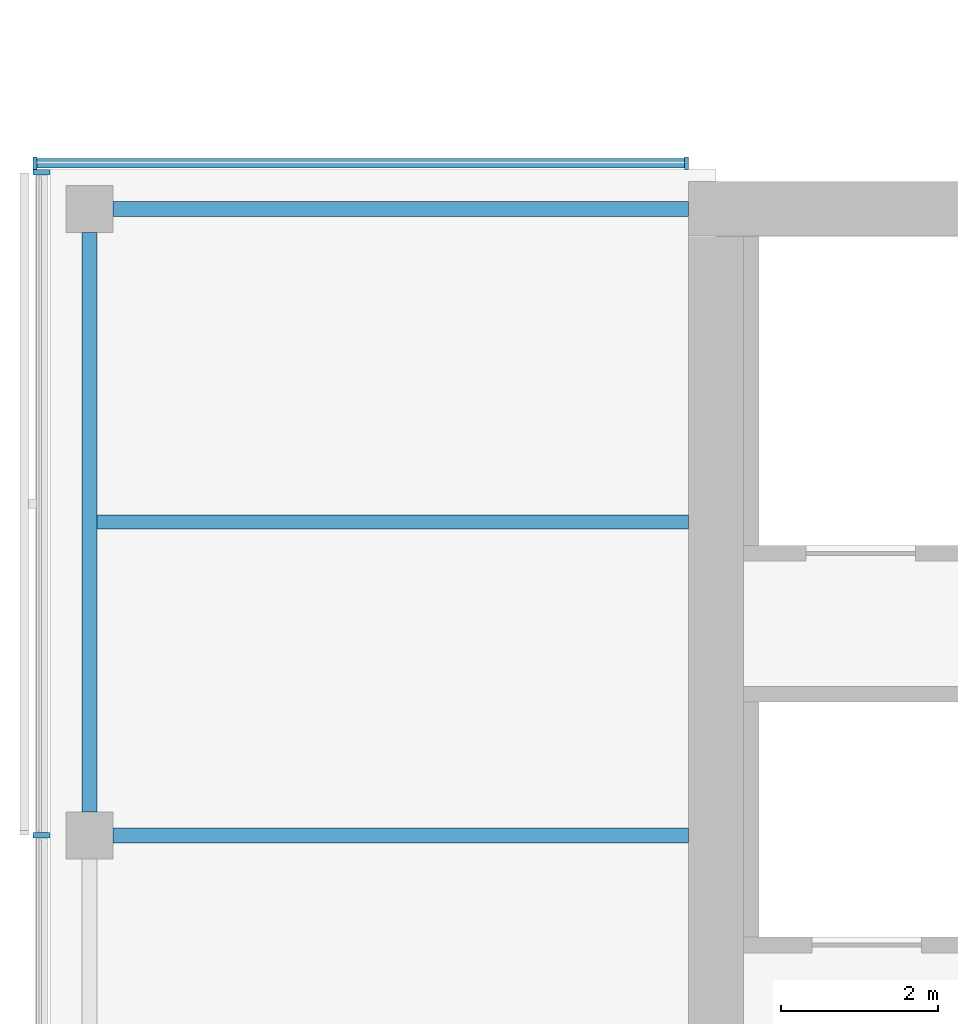
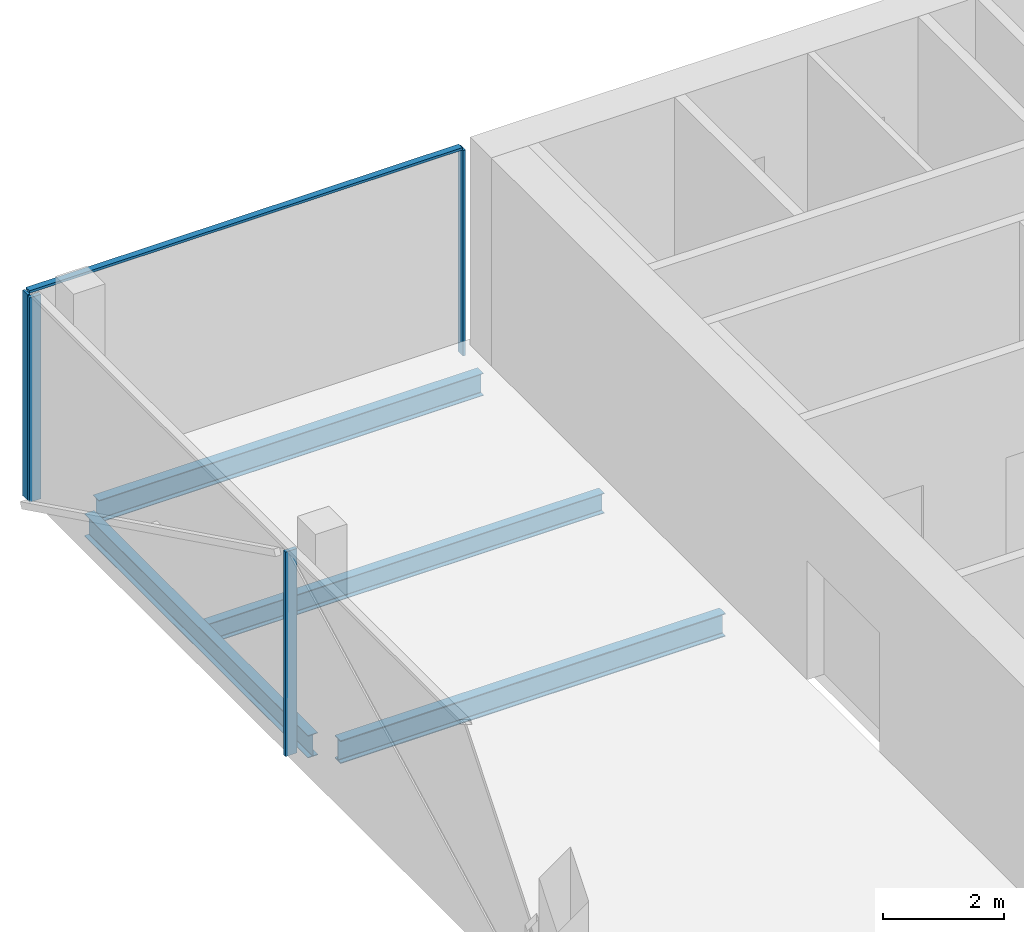
# One storey, part 7 of 22: 5 members, 4 beams, 2 elements without a shape of their own.
"""IFC4 building model written with IfcOpenShell, lengths in metres."""

import ifcopenshell
import ifcopenshell.guid

model = None  # the IFC model being written
_history = None  # IfcOwnerHistory: only IFC2X3 demands one
_inside = {}  # id of a spatial element -> (the spatial element, [elements in it])
_under = {}  # id of a project, library or spatial element -> (it, [spatial elements below it])
_declared = {}  # id of a project -> (the project, [libraries it declares])
_typed = {}  # id of a type object -> (the type object, [elements of that type])
_made_of = {}  # id of a material, layer set ... -> (it, [elements and type objects made of it])


def new_model(schema):
    """Start an empty IFC model of exactly this schema.

    Asked for "IFC4X3", IfcOpenShell would pick the latest addendum, in which some entities
    have other attributes; the version numbers below select the first issue.
    IFC2X3 requires an IfcOwnerHistory on every rooted entity: one is made here for all.
    """
    global model, _history
    if schema == "IFC4X3":
        model = ifcopenshell.file(schema_version=(4, 3, 0, 0))
    else:
        model = ifcopenshell.file(schema=schema)
    _inside.clear()
    _under.clear()
    _declared.clear()
    _typed.clear()
    _made_of.clear()
    _history = None
    if model.schema == "IFC2X3":
        org = make("IfcOrganization", Name="unknown")
        user = make(
            "IfcPersonAndOrganization",
            ThePerson=make("IfcPerson", FamilyName="unknown"),
            TheOrganization=org,
        )
        app = make(
            "IfcApplication",
            ApplicationDeveloper=org,
            Version="unknown",
            ApplicationFullName="unknown",
            ApplicationIdentifier="unknown",
        )
        _history = make(
            "IfcOwnerHistory",
            OwningUser=user,
            OwningApplication=app,
            ChangeAction="ADDED",
            CreationDate=0,
        )
    return model


def make(cls, **values):
    """One entity of the class cls with the attributes given. An attribute that is None is left unset."""
    return model.create_entity(
        cls, **{name: value for name, value in values.items() if value is not None}
    )


def rooted(cls, **values):
    """An entity with a GlobalId (a new one), such as an element, a storey or a relation."""
    return make(cls, GlobalId=ifcopenshell.guid.new(), OwnerHistory=_history, **values)


def si_unit(unit_type, name, prefix=None):
    """IfcSIUnit, for example si_unit("LENGTHUNIT", "METRE", prefix="MILLI")."""
    return make("IfcSIUnit", UnitType=unit_type, Prefix=prefix, Name=name)


def assignment(units):
    """IfcUnitAssignment: the units of a project."""
    return None if units is None else make("IfcUnitAssignment", Units=units)


def point(xyz):
    """IfcCartesianPoint."""
    return None if xyz is None else make("IfcCartesianPoint", Coordinates=xyz)


def direction(xyz):
    """IfcDirection."""
    return None if xyz is None else make("IfcDirection", DirectionRatios=xyz)


def frame(location, z_axis=None, x_axis=None):
    """IfcAxis2Placement3D, a coordinate frame: its origin and axes. An axis left out is left unset."""
    return make(
        "IfcAxis2Placement3D",
        Location=point(location),
        Axis=direction(z_axis),
        RefDirection=direction(x_axis),
    )


def frame_2d(location, x_axis=None):
    """IfcAxis2Placement2D, a coordinate frame in the plane: its origin and x axis."""
    return make(
        "IfcAxis2Placement2D", Location=point(location), RefDirection=direction(x_axis)
    )


def origin():
    """The frame at (0, 0, 0) with its axes left unset."""
    return frame((0.0, 0.0, 0.0))


def origin_2d():
    """The frame at (0, 0) in the plane with its x axis left unset."""
    return frame_2d((0.0, 0.0))


def place(relative_to, where):
    """IfcLocalPlacement: puts the frame where relative to a parent placement (None: the world)."""
    return make(
        "IfcLocalPlacement", PlacementRelTo=relative_to, RelativePlacement=where
    )


def context(
    kind, dimensions, precision=None, world=None, true_north=None, identifier=None
):
    """IfcGeometricRepresentationContext, for example the 3D "Model" context."""
    return make(
        "IfcGeometricRepresentationContext",
        ContextIdentifier=identifier,
        ContextType=kind,
        CoordinateSpaceDimension=dimensions,
        Precision=precision,
        WorldCoordinateSystem=world,
        TrueNorth=true_north,
    )


def subcontext(parent, identifier, kind, view, scale=None):
    """IfcGeometricRepresentationSubContext, for example "Body" below "Model"."""
    return make(
        "IfcGeometricRepresentationSubContext",
        ContextIdentifier=identifier,
        ContextType=kind,
        ParentContext=parent,
        TargetScale=scale,
        TargetView=view,
    )


def project(units=None, contexts=None):
    """IfcProject with its units and contexts."""
    return rooted(
        "IfcProject",
        Name="project",
        RepresentationContexts=contexts,
        UnitsInContext=assignment(units),
    )


def spatial(cls, under=None, at=None, **own):
    """A site, building, storey or space (cls), placed at a placement, below another one or the project."""
    s = rooted(cls, ObjectPlacement=at, **own)
    if under is not None:
        _under.setdefault(under.id(), (under, []))[1].append(s)
    return s


def profile(cls, at=None, kind="AREA", **sizes):
    """A parametric profile (cls). Its sizes go by their IFC names, for example OverallWidth=200.0."""
    return make(cls, ProfileType=kind, Position=at, **sizes)


def rectangle(**sizes):
    """IfcRectangleProfileDef."""
    return profile("IfcRectangleProfileDef", **sizes)


def i_section(**sizes):
    """IfcIShapeProfileDef."""
    return profile("IfcIShapeProfileDef", **sizes)


def extrude(swept, where, along, depth):
    """IfcExtrudedAreaSolid: the profile swept, set in the frame where, extruded along a direction by depth."""
    return make(
        "IfcExtrudedAreaSolid",
        SweptArea=swept,
        Position=where,
        ExtrudedDirection=direction(along),
        Depth=depth,
    )


def shape(context_of_items, identifier, shape_type, items):
    """IfcShapeRepresentation: the items that make up one representation, for example the "Body"."""
    return make(
        "IfcShapeRepresentation",
        ContextOfItems=context_of_items,
        RepresentationIdentifier=identifier,
        RepresentationType=shape_type,
        Items=items,
    )


def material(Name=None, Category=None):
    """IfcMaterial."""
    return make("IfcMaterial", Name=Name, Category=Category)


def material_profile(
    of_material, cross_section, Name=None, Category=None, Priority=None
):
    """IfcMaterialProfile: a cross section and its material."""
    return make(
        "IfcMaterialProfile",
        Name=Name,
        Material=of_material,
        Profile=cross_section,
        Priority=Priority,
        Category=Category,
    )


def profile_set(profiles, Name=None, composite=None):
    """IfcMaterialProfileSet."""
    return make(
        "IfcMaterialProfileSet",
        Name=Name,
        MaterialProfiles=profiles,
        CompositeProfile=composite,
    )


def made_of(thing, what):
    """Note that an element or type object is made of a material, layer set ...; save() writes the relation."""
    if what is not None:
        _made_of.setdefault(what.id(), (what, []))[1].append(thing)
    return thing


def type_object(cls, material=None, **own):
    """A type object (cls), such as IfcWallType, which elements share."""
    return made_of(rooted(cls, **own), material)


def element(
    cls,
    number,
    at=None,
    inside=None,
    cuts=None,
    type_object=None,
    material=None,
    context=None,
    identifier="Body",
    shape_type=None,
    held_by="IfcProductDefinitionShape",
    body=None,
    shapes=None,
    **own,
):
    """One element of the class cls, such as IfcWall. Its Tag is "e" and its number.

    at: its placement. inside: the storey or other place that contains it. cuts: it is an
    opening in that element (IfcRelVoidsElement). A single representation is given by context,
    identifier, shape_type and body (its items); several are given by shapes. held_by: the class
    of the entity that holds the representations. save() writes the other relations.
    """
    e = rooted(cls, Tag="e%d" % number, ObjectPlacement=at, **own)
    if body is not None:
        shapes = [shape(context, identifier, shape_type, body)]
    if shapes is not None:
        e.Representation = make(held_by, Representations=shapes)
    if inside is not None:
        _inside.setdefault(inside.id(), (inside, []))[1].append(e)
    if cuts is not None:
        rooted(
            "IfcRelVoidsElement", RelatingBuildingElement=cuts, RelatedOpeningElement=e
        )
    if type_object is not None:
        _typed.setdefault(type_object.id(), (type_object, []))[1].append(e)
    return made_of(e, material)


def aggregate(whole, parts):
    """IfcRelAggregates: a whole, such as a stair, and the parts it consists of."""
    return rooted("IfcRelAggregates", RelatingObject=whole, RelatedObjects=parts)


def save(model, path):
    """Write the relations noted so far, then the file.

    IfcRelAggregates (storeys below a building ...), IfcRelContainedInSpatialStructure (elements
    in a storey), IfcRelDefinesByType, IfcRelAssociatesMaterial and IfcRelDeclares: one each for
    every whole, place, type object, material and project.
    """
    for whole, parts in _under.values():
        aggregate(whole, parts)
    for where, things in _inside.values():
        rooted(
            "IfcRelContainedInSpatialStructure",
            RelatedElements=things,
            RelatingStructure=where,
        )
    for kind, things in _typed.values():
        rooted("IfcRelDefinesByType", RelatedObjects=things, RelatingType=kind)
    for what, things in _made_of.values():
        rooted("IfcRelAssociatesMaterial", RelatedObjects=things, RelatingMaterial=what)
    for by, libraries in _declared.values():
        rooted("IfcRelDeclares", RelatingContext=by, RelatedDefinitions=libraries)
    model.write(path)


model = new_model("IFC4")

# Units and contexts
model_context = context("Model", 3, precision=1e-05, world=origin(), true_north=direction((0.0, 1.0)))
body_context = subcontext(model_context, "Body", "Model", "MODEL_VIEW")
ifc_project = project(units=[si_unit("LENGTHUNIT", "METRE"), si_unit("AREAUNIT", "SQUARE_METRE"), si_unit("VOLUMEUNIT", "CUBIC_METRE"), si_unit("PLANEANGLEUNIT", "RADIAN"), si_unit("MASSUNIT", "GRAM", prefix="KILO")], contexts=[model_context])

# Site, building, storey
site_placement = place(None, origin())
site = spatial("IfcSite", under=ifc_project, at=site_placement, CompositionType="ELEMENT")
building_placement = place(site_placement, origin())
building = spatial("IfcBuilding", under=site, at=building_placement, Name="Crosswind Convention Tower", CompositionType="ELEMENT")
storey_placement = place(building_placement, frame((0.0, 0.0, 142.10009765625)))
storey = spatial("IfcBuildingStorey", under=building, at=storey_placement, Name="L29", CompositionType="ELEMENT", Elevation=142.10009765625)

# Beams
ifc_material_1 = material(Name="Steel S355", Category="steel")
ifc_material_profile_1 = material_profile(ifc_material_1, i_section(OverallWidth=0.18994140625, OverallDepth=0.45361328125, WebThickness=0.008544921875, FlangeThickness=0.0126953125, FilletRadius=0.01025390625, at=origin_2d()), Name="UB 457x191x67")
ifc_profile_set_1 = profile_set([ifc_material_profile_1], Name="Steel S355")
beam_type_1 = type_object("IfcBeamType", Name="Edge beam UB 457x191x67", PredefinedType="SPANDREL", material=ifc_profile_set_1)
beam_1_placement = place(storey_placement, frame((89.0, 104.300048828125, -0.52685546875), z_axis=(0.0, 1.0, 0.0), x_axis=(-1.0, 0.0, 0.0)))
element("IfcBeam", 1, at=beam_1_placement, inside=storey, type_object=beam_type_1, Name="B16 L29 edge beam 3", PredefinedType="SPANDREL", context=body_context, shape_type="SweptSolid", body=[
    extrude(i_section(OverallWidth=0.18994140625, OverallDepth=0.45361328125, WebThickness=0.008544921875, FlangeThickness=0.0126953125, FilletRadius=0.01025390625, at=origin_2d()), origin(), (0.0, 0.0, 1.0), 7.39990234375),
])
beam_2_placement = place(storey_placement, frame((89.300048828125, 112.0, -0.52685546875), z_axis=(1.0, 0.0, 0.0), x_axis=(0.0, 1.0, 0.0)))
element("IfcBeam", 2, at=beam_2_placement, inside=storey, type_object=beam_type_1, Name="B16 L29 edge beam 5", PredefinedType="SPANDREL", context=body_context, shape_type="SweptSolid", body=[
    extrude(i_section(OverallWidth=0.18994140625, OverallDepth=0.45361328125, WebThickness=0.008544921875, FlangeThickness=0.0126953125, FilletRadius=0.01025390625, at=origin_2d()), origin(), (0.0, 0.0, 1.0), 7.349853515625),
])
ifc_material_profile_2 = material_profile(ifc_material_1, i_section(OverallWidth=0.19189453125, OverallDepth=0.463623046875, WebThickness=0.010498046875, FlangeThickness=0.017578125, FilletRadius=0.01025390625, at=origin_2d()), Name="UB 457x191x90")
ifc_profile_set_2 = profile_set([ifc_material_profile_2], Name="Steel S355")
beam_type_2 = type_object("IfcBeamType", Name="Girder at core wall UB 457x191x90", PredefinedType="BEAM", material=ifc_profile_set_2)
beam_3_placement = place(storey_placement, frame((89.300048828125, 104.0, -0.531982421875), z_axis=(1.0, 0.0, 0.0), x_axis=(0.0, 1.0, 0.0)))
element("IfcBeam", 3, at=beam_3_placement, inside=storey, type_object=beam_type_2, Name="B24 L29 girder at core wall 2", PredefinedType="BEAM", context=body_context, shape_type="SweptSolid", body=[
    extrude(i_section(OverallWidth=0.19189453125, OverallDepth=0.463623046875, WebThickness=0.010498046875, FlangeThickness=0.017578125, FilletRadius=0.01025390625, at=origin_2d()), origin(), (0.0, 0.0, 1.0), 7.349853515625),
])

# Curtain wall, members
ifc_material_2 = material(Name="Aluminium unitised curtain wall", Category="aluminium")
curtain_wall_type_1 = type_object("IfcCurtainWallType", Name="CORE END SLOT WALL 160", PredefinedType="USERDEFINED", material=ifc_material_2)
curtain_wall_1_placement = place(storey_placement, origin())
curtain_wall_1 = element("IfcCurtainWall", 4, at=curtain_wall_1_placement, inside=storey, type_object=curtain_wall_type_1, Name="CW6 L29 W-N.2-1 slot", ObjectType="UNITISED", PredefinedType="USERDEFINED")
ifc_material_3 = material(Name="Aluminium mullion", Category="aluminium")
ifc_material_profile_3 = material_profile(ifc_material_3, rectangle(XDim=0.159912109375, YDim=0.050048828125, at=origin_2d()), Name="AL 160X50")
ifc_profile_set_3 = profile_set([ifc_material_profile_3], Name="Aluminium mullion")
member_type_1 = type_object("IfcMemberType", Name="MULLION 50X160", PredefinedType="MULLION", material=ifc_profile_set_3)
member_1_placement = place(storey_placement, frame((96.625, 112.580078125, -0.300048828125), z_axis=(0.0, 0.0, 1.0), x_axis=(0.0, 1.0, 0.0)))
member_1 = element("IfcMember", 5, at=member_1_placement, type_object=member_type_1, Name="CW6 mullion 1", PredefinedType="MULLION", context=body_context, shape_type="SweptSolid", body=[
    extrude(rectangle(XDim=0.159912109375, YDim=0.050048828125, at=origin_2d()), origin(), (0.0, 0.0, 1.0), 4.14990234375),
])
member_2_placement = place(storey_placement, frame((88.304931640625, 112.580078125, -0.300048828125), z_axis=(0.0, 0.0, 1.0), x_axis=(0.0, 1.0, 0.0)))
member_2 = element("IfcMember", 6, at=member_2_placement, type_object=member_type_1, Name="CW6 mullion 2", PredefinedType="MULLION", context=body_context, shape_type="SweptSolid", body=[
    extrude(rectangle(XDim=0.159912109375, YDim=0.050048828125, at=origin_2d()), origin(), (0.0, 0.0, 1.0), 4.14990234375),
])

curtain_wall_type_2 = type_object("IfcCurtainWallType", Name="OFFICE UNITISED WALL 220", PredefinedType="USERDEFINED", material=ifc_material_2)
curtain_wall_2_placement = place(storey_placement, origin())
curtain_wall_2 = element("IfcCurtainWall", 7, at=curtain_wall_2_placement, inside=storey, type_object=curtain_wall_type_2, Name="CW3 L29 W-TIP 1", ObjectType="UNITISED", PredefinedType="USERDEFINED")
ifc_material_profile_4 = material_profile(ifc_material_3, rectangle(XDim=0.219970703125, YDim=0.070068359375, at=origin_2d()), Name="AL 220X70")
ifc_profile_set_4 = profile_set([ifc_material_profile_4], Name="Aluminium mullion")
member_type_2 = type_object("IfcMemberType", Name="MULLION 70X220", PredefinedType="MULLION", material=ifc_profile_set_4)
member_3_placement = place(storey_placement, frame((88.389892578125, 112.465087890625, -0.300048828125), z_axis=(0.0, 0.0, 1.0), x_axis=(-1.0, 0.0, 0.0)))
member_3 = element("IfcMember", 8, at=member_3_placement, type_object=member_type_2, Name="CW3 mullion 1", PredefinedType="MULLION", context=body_context, shape_type="SweptSolid", body=[
    extrude(rectangle(XDim=0.219970703125, YDim=0.070068359375, at=origin_2d()), origin(), (0.0, 0.0, 1.0), 4.1298828125),
])
member_4_placement = place(storey_placement, frame((88.389892578125, 104.0, -0.300048828125), z_axis=(0.0, 0.0, 1.0), x_axis=(-1.0, 0.0, 0.0)))
member_4 = element("IfcMember", 9, at=member_4_placement, type_object=member_type_2, Name="CW3 mullion 2", PredefinedType="MULLION", context=body_context, shape_type="SweptSolid", body=[
    extrude(rectangle(XDim=0.219970703125, YDim=0.070068359375, at=origin_2d()), origin(), (0.0, 0.0, 1.0), 4.1298828125),
])
aggregate(curtain_wall_2, [member_3, member_4])

# Beam
ifc_material_profile_5 = material_profile(ifc_material_1, i_section(OverallWidth=0.177734375, OverallDepth=0.406494140625, WebThickness=0.0078125, FlangeThickness=0.0126953125, FilletRadius=0.01025390625, at=origin_2d()), Name="UB 406x178x60")
ifc_profile_set_5 = profile_set([ifc_material_profile_5], Name="Steel S355")
beam_type_3 = type_object("IfcBeamType", Name="Secondary beam UB 406x178x60", PredefinedType="JOIST", material=ifc_profile_set_5)
beam_4_placement = place(storey_placement, frame((89.094970703125, 108.0, -0.50341796875), z_axis=(1.0, 0.0, 0.0), x_axis=(0.0, 1.0, 0.0)))
element("IfcBeam", 10, at=beam_4_placement, inside=storey, type_object=beam_type_3, Name="B10 L29 secondary beam 3", PredefinedType="JOIST", context=body_context, shape_type="SweptSolid", body=[
    extrude(i_section(OverallWidth=0.177734375, OverallDepth=0.406494140625, WebThickness=0.0078125, FlangeThickness=0.0126953125, FilletRadius=0.01025390625, at=origin_2d()), origin(), (0.0, 0.0, 1.0), 7.554931640625),
])

# Member
ifc_material_4 = material(Name="Aluminium transom", Category="aluminium")
ifc_material_profile_6 = material_profile(ifc_material_4, rectangle(XDim=0.1201171875, YDim=0.050048828125, at=origin_2d()), Name="AL 120X50")
ifc_profile_set_6 = profile_set([ifc_material_profile_6], Name="Aluminium transom")
member_type_3 = type_object("IfcMemberType", Name="TRANSOM 50X120", PredefinedType="USERDEFINED", material=ifc_profile_set_6)
member_5_placement = place(storey_placement, frame((96.60009765625, 112.580078125, 3.875), z_axis=(-1.0, 0.0, 0.0), x_axis=(0.0, -1.0, 0.0)))
member_5 = element("IfcMember", 11, at=member_5_placement, type_object=member_type_3, Name="CW6 transom", ObjectType="TRANSOM", PredefinedType="USERDEFINED", context=body_context, shape_type="SweptSolid", body=[
    extrude(rectangle(XDim=0.1201171875, YDim=0.050048828125, at=origin_2d()), origin(), (0.0, 0.0, 1.0), 8.27001953125),
])

aggregate(curtain_wall_1, [member_1, member_2, member_5])

save(model, "model.ifc")
